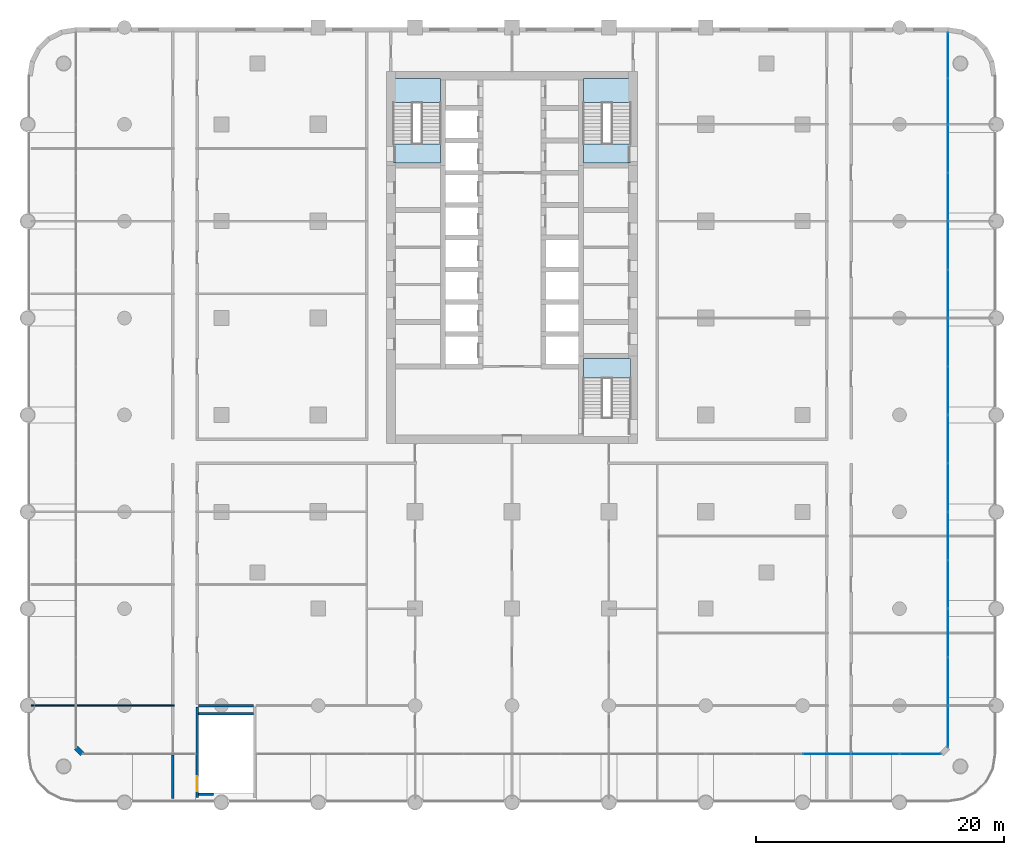
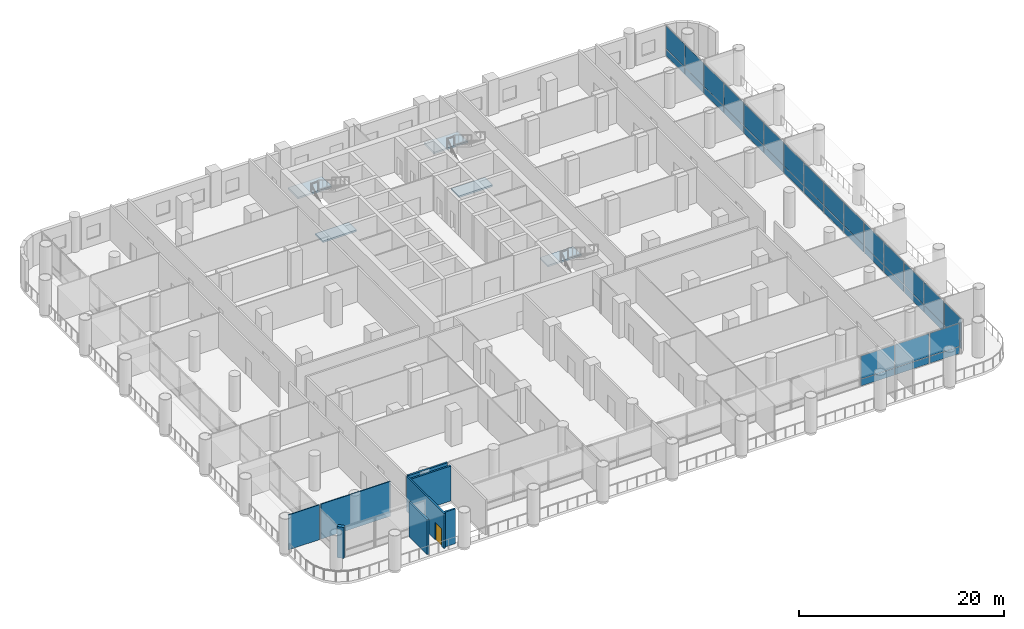
# One storey, part 9 of 23: 36 plates, 8 walls, 5 slabs, 1 door, 1 opening, 13 elements without a shape of their own.
"""IFC4 building model written with IfcOpenShell, lengths in metres."""

from ifc_helpers import new_model, si_unit, direction, frame, frame_2d, origin, origin_2d, place, context, subcontext, project, spatial, polyline, rectangle, outline, extrude, material, layer, layer_set, type_object, element, fill, aggregate, save


model = new_model("IFC4")

# Units and contexts
model_context = context("Model", 3, precision=1e-05, world=origin(), true_north=direction((0.0, 1.0)))
body_context = subcontext(model_context, "Body", "Model", "MODEL_VIEW")
ifc_project = project(units=[si_unit("LENGTHUNIT", "METRE"), si_unit("AREAUNIT", "SQUARE_METRE"), si_unit("VOLUMEUNIT", "CUBIC_METRE"), si_unit("PLANEANGLEUNIT", "RADIAN"), si_unit("MASSUNIT", "GRAM", prefix="KILO")], contexts=[model_context])

# Site, building, storey
site_placement = place(None, origin())
site = spatial("IfcSite", under=ifc_project, at=site_placement, CompositionType="ELEMENT")
building_placement = place(site_placement, origin())
building = spatial("IfcBuilding", under=site, at=building_placement, Name="Ludao Terraces", CompositionType="ELEMENT")
storey_placement = place(building_placement, frame((0.0, 0.0, 10.5)))
storey = spatial("IfcBuildingStorey", under=building, at=storey_placement, Name="L02", CompositionType="ELEMENT", Elevation=10.5)

# Curtain wall, plates
ifc_material_1 = material(Name="Aluminium curtain wall with fritted glass", Category="aluminium")
curtain_wall_type = type_object("IfcCurtainWallType", Name="ENV CW1 podium glazing", PredefinedType="NOTDEFINED", material=ifc_material_1)
curtain_wall_1_placement = place(storey_placement, origin())
curtain_wall_1 = element("IfcCurtainWall", 1, at=curtain_wall_1_placement, inside=storey, type_object=curtain_wall_type, Name="CW-L02-S9", PredefinedType="NOTDEFINED")
ifc_material_2 = material(Name="Fritted glass panel", Category="glass")
ifc_layer_1 = layer(ifc_material_2, 0.028076171875)
ifc_layer_set_1 = layer_set([ifc_layer_1], Name="ENV CW1 glass panel")
plate_type = type_object("IfcPlateType", Name="ENV CW1 glass panel", PredefinedType="CURTAIN_PANEL", material=ifc_layer_set_1)
plate_1_placement = place(storey_placement, frame((110.364990234375, 29.89990234375, 0.06005859375), z_axis=(0.0, 0.0, 1.0), x_axis=(1.0, 0.0, 0.0)))
plate_1 = element("IfcPlate", 2, at=plate_1_placement, type_object=plate_type, Name="CW1 panel 1.1", PredefinedType="CURTAIN_PANEL", context=body_context, shape_type="SweptSolid", body=[
    extrude(rectangle(XDim=3.81005859375, YDim=0.028076171875, at=origin_2d()), origin(), (0.0, 0.0, 1.0), 0.81005859375),
])
plate_2_placement = place(storey_placement, frame((110.364990234375, 29.89990234375, 0.929931640625), z_axis=(0.0, 0.0, 1.0), x_axis=(1.0, 0.0, 0.0)))
plate_2 = element("IfcPlate", 3, at=plate_2_placement, type_object=plate_type, Name="CW1 panel 1.2", PredefinedType="CURTAIN_PANEL", context=body_context, shape_type="SweptSolid", body=[
    extrude(rectangle(XDim=3.81005859375, YDim=0.028076171875, at=origin_2d()), origin(), (0.0, 0.0, 1.0), 2.7099609375),
])
plate_3_placement = place(storey_placement, frame((114.235107421875, 29.89990234375, 0.06005859375), z_axis=(0.0, 0.0, 1.0), x_axis=(1.0, 0.0, 0.0)))
plate_3 = element("IfcPlate", 4, at=plate_3_placement, type_object=plate_type, Name="CW1 panel 2.1", PredefinedType="CURTAIN_PANEL", context=body_context, shape_type="SweptSolid", body=[
    extrude(rectangle(XDim=3.81005859375, YDim=0.028076171875, at=origin_2d()), origin(), (0.0, 0.0, 1.0), 0.81005859375),
])
plate_4_placement = place(storey_placement, frame((114.235107421875, 29.89990234375, 0.929931640625), z_axis=(0.0, 0.0, 1.0), x_axis=(1.0, 0.0, 0.0)))
plate_4 = element("IfcPlate", 5, at=plate_4_placement, type_object=plate_type, Name="CW1 panel 2.2", PredefinedType="CURTAIN_PANEL", context=body_context, shape_type="SweptSolid", body=[
    extrude(rectangle(XDim=3.81005859375, YDim=0.028076171875, at=origin_2d()), origin(), (0.0, 0.0, 1.0), 2.7099609375),
])
aggregate(curtain_wall_1, [plate_1, plate_2, plate_3, plate_4])

curtain_wall_2_placement = place(storey_placement, origin())
curtain_wall_2 = element("IfcCurtainWall", 6, at=curtain_wall_2_placement, inside=storey, type_object=curtain_wall_type, Name="CW-L02-S10", PredefinedType="NOTDEFINED")
plate_5_placement = place(storey_placement, frame((117.89990234375, 29.89990234375, 0.06005859375), z_axis=(0.0, 0.0, 1.0), x_axis=(1.0, 0.0, 0.0)))
plate_5 = element("IfcPlate", 7, at=plate_5_placement, type_object=plate_type, Name="CW1 panel 1.1", PredefinedType="CURTAIN_PANEL", context=body_context, shape_type="SweptSolid", body=[
    extrude(rectangle(XDim=3.280029296875, YDim=0.028076171875, at=origin_2d()), origin(), (0.0, 0.0, 1.0), 0.81005859375),
])
plate_6_placement = place(storey_placement, frame((117.89990234375, 29.89990234375, 0.929931640625), z_axis=(0.0, 0.0, 1.0), x_axis=(1.0, 0.0, 0.0)))
plate_6 = element("IfcPlate", 8, at=plate_6_placement, type_object=plate_type, Name="CW1 panel 1.2", PredefinedType="CURTAIN_PANEL", context=body_context, shape_type="SweptSolid", body=[
    extrude(rectangle(XDim=3.280029296875, YDim=0.028076171875, at=origin_2d()), origin(), (0.0, 0.0, 1.0), 2.7099609375),
])
aggregate(curtain_wall_2, [plate_5, plate_6])

curtain_wall_3_placement = place(storey_placement, origin())
curtain_wall_3 = element("IfcCurtainWall", 9, at=curtain_wall_3_placement, inside=storey, type_object=curtain_wall_type, Name="CW-L02-E1", PredefinedType="NOTDEFINED")
plate_7_placement = place(storey_placement, frame((120.10009765625, 32.10009765625, 0.06005859375), z_axis=(0.0, 0.0, 1.0), x_axis=(0.0, 1.0, 0.0)))
plate_7 = element("IfcPlate", 10, at=plate_7_placement, type_object=plate_type, Name="CW1 panel 1.1", PredefinedType="CURTAIN_PANEL", context=body_context, shape_type="SweptSolid", body=[
    extrude(rectangle(XDim=3.280029296875, YDim=0.028076171875, at=origin_2d()), origin(), (0.0, 0.0, 1.0), 0.81005859375),
])
plate_8_placement = place(storey_placement, frame((120.10009765625, 32.10009765625, 0.929931640625), z_axis=(0.0, 0.0, 1.0), x_axis=(0.0, 1.0, 0.0)))
plate_8 = element("IfcPlate", 11, at=plate_8_placement, type_object=plate_type, Name="CW1 panel 1.2", PredefinedType="CURTAIN_PANEL", context=body_context, shape_type="SweptSolid", body=[
    extrude(rectangle(XDim=3.280029296875, YDim=0.028076171875, at=origin_2d()), origin(), (0.0, 0.0, 1.0), 2.7099609375),
])
aggregate(curtain_wall_3, [plate_7, plate_8])

curtain_wall_4_placement = place(storey_placement, origin())
curtain_wall_4 = element("IfcCurtainWall", 12, at=curtain_wall_4_placement, inside=storey, type_object=curtain_wall_type, Name="CW-L02-E2", PredefinedType="NOTDEFINED")
plate_9_placement = place(storey_placement, frame((120.10009765625, 35.764892578125, 0.06005859375), z_axis=(0.0, 0.0, 1.0), x_axis=(0.0, 1.0, 0.0)))
plate_9 = element("IfcPlate", 13, at=plate_9_placement, type_object=plate_type, Name="CW1 panel 1.1", PredefinedType="CURTAIN_PANEL", context=body_context, shape_type="SweptSolid", body=[
    extrude(rectangle(XDim=3.81005859375, YDim=0.028076171875, at=origin_2d()), origin(), (0.0, 0.0, 1.0), 0.81005859375),
])
plate_10_placement = place(storey_placement, frame((120.10009765625, 35.764892578125, 0.929931640625), z_axis=(0.0, 0.0, 1.0), x_axis=(0.0, 1.0, 0.0)))
plate_10 = element("IfcPlate", 14, at=plate_10_placement, type_object=plate_type, Name="CW1 panel 1.2", PredefinedType="CURTAIN_PANEL", context=body_context, shape_type="SweptSolid", body=[
    extrude(rectangle(XDim=3.81005859375, YDim=0.028076171875, at=origin_2d()), origin(), (0.0, 0.0, 1.0), 2.7099609375),
])
plate_11_placement = place(storey_placement, frame((120.10009765625, 39.635009765625, 0.06005859375), z_axis=(0.0, 0.0, 1.0), x_axis=(0.0, 1.0, 0.0)))
plate_11 = element("IfcPlate", 15, at=plate_11_placement, type_object=plate_type, Name="CW1 panel 2.1", PredefinedType="CURTAIN_PANEL", context=body_context, shape_type="SweptSolid", body=[
    extrude(rectangle(XDim=3.81005859375, YDim=0.028076171875, at=origin_2d()), origin(), (0.0, 0.0, 1.0), 0.81005859375),
])
plate_12_placement = place(storey_placement, frame((120.10009765625, 39.635009765625, 0.929931640625), z_axis=(0.0, 0.0, 1.0), x_axis=(0.0, 1.0, 0.0)))
plate_12 = element("IfcPlate", 16, at=plate_12_placement, type_object=plate_type, Name="CW1 panel 2.2", PredefinedType="CURTAIN_PANEL", context=body_context, shape_type="SweptSolid", body=[
    extrude(rectangle(XDim=3.81005859375, YDim=0.028076171875, at=origin_2d()), origin(), (0.0, 0.0, 1.0), 2.7099609375),
])
aggregate(curtain_wall_4, [plate_9, plate_10, plate_11, plate_12])

curtain_wall_5_placement = place(storey_placement, origin())
curtain_wall_5 = element("IfcCurtainWall", 17, at=curtain_wall_5_placement, inside=storey, type_object=curtain_wall_type, Name="CW-L02-E3", PredefinedType="NOTDEFINED")
plate_13_placement = place(storey_placement, frame((120.10009765625, 43.56494140625, 0.06005859375), z_axis=(0.0, 0.0, 1.0), x_axis=(0.0, 1.0, 0.0)))
plate_13 = element("IfcPlate", 18, at=plate_13_placement, type_object=plate_type, Name="CW1 panel 1.1", PredefinedType="CURTAIN_PANEL", context=body_context, shape_type="SweptSolid", body=[
    extrude(rectangle(XDim=3.81005859375, YDim=0.028076171875, at=origin_2d()), origin(), (0.0, 0.0, 1.0), 0.81005859375),
])
plate_14_placement = place(storey_placement, frame((120.10009765625, 43.56494140625, 0.929931640625), z_axis=(0.0, 0.0, 1.0), x_axis=(0.0, 1.0, 0.0)))
plate_14 = element("IfcPlate", 19, at=plate_14_placement, type_object=plate_type, Name="CW1 panel 1.2", PredefinedType="CURTAIN_PANEL", context=body_context, shape_type="SweptSolid", body=[
    extrude(rectangle(XDim=3.81005859375, YDim=0.028076171875, at=origin_2d()), origin(), (0.0, 0.0, 1.0), 2.7099609375),
])
plate_15_placement = place(storey_placement, frame((120.10009765625, 47.43505859375, 0.06005859375), z_axis=(0.0, 0.0, 1.0), x_axis=(0.0, 1.0, 0.0)))
plate_15 = element("IfcPlate", 20, at=plate_15_placement, type_object=plate_type, Name="CW1 panel 2.1", PredefinedType="CURTAIN_PANEL", context=body_context, shape_type="SweptSolid", body=[
    extrude(rectangle(XDim=3.81005859375, YDim=0.028076171875, at=origin_2d()), origin(), (0.0, 0.0, 1.0), 0.81005859375),
])
plate_16_placement = place(storey_placement, frame((120.10009765625, 47.43505859375, 0.929931640625), z_axis=(0.0, 0.0, 1.0), x_axis=(0.0, 1.0, 0.0)))
plate_16 = element("IfcPlate", 21, at=plate_16_placement, type_object=plate_type, Name="CW1 panel 2.2", PredefinedType="CURTAIN_PANEL", context=body_context, shape_type="SweptSolid", body=[
    extrude(rectangle(XDim=3.81005859375, YDim=0.028076171875, at=origin_2d()), origin(), (0.0, 0.0, 1.0), 2.7099609375),
])
aggregate(curtain_wall_5, [plate_13, plate_14, plate_15, plate_16])

curtain_wall_6_placement = place(storey_placement, origin())
curtain_wall_6 = element("IfcCurtainWall", 22, at=curtain_wall_6_placement, inside=storey, type_object=curtain_wall_type, Name="CW-L02-E4", PredefinedType="NOTDEFINED")
plate_17_placement = place(storey_placement, frame((120.10009765625, 51.364990234375, 0.06005859375), z_axis=(0.0, 0.0, 1.0), x_axis=(0.0, 1.0, 0.0)))
plate_17 = element("IfcPlate", 23, at=plate_17_placement, type_object=plate_type, Name="CW1 panel 1.1", PredefinedType="CURTAIN_PANEL", context=body_context, shape_type="SweptSolid", body=[
    extrude(rectangle(XDim=3.81005859375, YDim=0.028076171875, at=origin_2d()), origin(), (0.0, 0.0, 1.0), 0.81005859375),
])
plate_18_placement = place(storey_placement, frame((120.10009765625, 51.364990234375, 0.929931640625), z_axis=(0.0, 0.0, 1.0), x_axis=(0.0, 1.0, 0.0)))
plate_18 = element("IfcPlate", 24, at=plate_18_placement, type_object=plate_type, Name="CW1 panel 1.2", PredefinedType="CURTAIN_PANEL", context=body_context, shape_type="SweptSolid", body=[
    extrude(rectangle(XDim=3.81005859375, YDim=0.028076171875, at=origin_2d()), origin(), (0.0, 0.0, 1.0), 2.7099609375),
])
plate_19_placement = place(storey_placement, frame((120.10009765625, 55.235107421875, 0.06005859375), z_axis=(0.0, 0.0, 1.0), x_axis=(0.0, 1.0, 0.0)))
plate_19 = element("IfcPlate", 25, at=plate_19_placement, type_object=plate_type, Name="CW1 panel 2.1", PredefinedType="CURTAIN_PANEL", context=body_context, shape_type="SweptSolid", body=[
    extrude(rectangle(XDim=3.81005859375, YDim=0.028076171875, at=origin_2d()), origin(), (0.0, 0.0, 1.0), 0.81005859375),
])
plate_20_placement = place(storey_placement, frame((120.10009765625, 55.235107421875, 0.929931640625), z_axis=(0.0, 0.0, 1.0), x_axis=(0.0, 1.0, 0.0)))
plate_20 = element("IfcPlate", 26, at=plate_20_placement, type_object=plate_type, Name="CW1 panel 2.2", PredefinedType="CURTAIN_PANEL", context=body_context, shape_type="SweptSolid", body=[
    extrude(rectangle(XDim=3.81005859375, YDim=0.028076171875, at=origin_2d()), origin(), (0.0, 0.0, 1.0), 2.7099609375),
])
aggregate(curtain_wall_6, [plate_17, plate_18, plate_19, plate_20])

curtain_wall_7_placement = place(storey_placement, origin())
curtain_wall_7 = element("IfcCurtainWall", 27, at=curtain_wall_7_placement, inside=storey, type_object=curtain_wall_type, Name="CW-L02-E5", PredefinedType="NOTDEFINED")
plate_21_placement = place(storey_placement, frame((120.10009765625, 59.1650390625, 0.06005859375), z_axis=(0.0, 0.0, 1.0), x_axis=(0.0, 1.0, 0.0)))
plate_21 = element("IfcPlate", 28, at=plate_21_placement, type_object=plate_type, Name="CW1 panel 1.1", PredefinedType="CURTAIN_PANEL", context=body_context, shape_type="SweptSolid", body=[
    extrude(rectangle(XDim=3.81005859375, YDim=0.028076171875, at=origin_2d()), origin(), (0.0, 0.0, 1.0), 0.81005859375),
])
plate_22_placement = place(storey_placement, frame((120.10009765625, 59.1650390625, 0.929931640625), z_axis=(0.0, 0.0, 1.0), x_axis=(0.0, 1.0, 0.0)))
plate_22 = element("IfcPlate", 29, at=plate_22_placement, type_object=plate_type, Name="CW1 panel 1.2", PredefinedType="CURTAIN_PANEL", context=body_context, shape_type="SweptSolid", body=[
    extrude(rectangle(XDim=3.81005859375, YDim=0.028076171875, at=origin_2d()), origin(), (0.0, 0.0, 1.0), 2.7099609375),
])
plate_23_placement = place(storey_placement, frame((120.10009765625, 63.034912109375, 0.06005859375), z_axis=(0.0, 0.0, 1.0), x_axis=(0.0, 1.0, 0.0)))
plate_23 = element("IfcPlate", 30, at=plate_23_placement, type_object=plate_type, Name="CW1 panel 2.1", PredefinedType="CURTAIN_PANEL", context=body_context, shape_type="SweptSolid", body=[
    extrude(rectangle(XDim=3.81005859375, YDim=0.028076171875, at=origin_2d()), origin(), (0.0, 0.0, 1.0), 0.81005859375),
])
plate_24_placement = place(storey_placement, frame((120.10009765625, 63.034912109375, 0.929931640625), z_axis=(0.0, 0.0, 1.0), x_axis=(0.0, 1.0, 0.0)))
plate_24 = element("IfcPlate", 31, at=plate_24_placement, type_object=plate_type, Name="CW1 panel 2.2", PredefinedType="CURTAIN_PANEL", context=body_context, shape_type="SweptSolid", body=[
    extrude(rectangle(XDim=3.81005859375, YDim=0.028076171875, at=origin_2d()), origin(), (0.0, 0.0, 1.0), 2.7099609375),
])
aggregate(curtain_wall_7, [plate_21, plate_22, plate_23, plate_24])

curtain_wall_8_placement = place(storey_placement, origin())
curtain_wall_8 = element("IfcCurtainWall", 32, at=curtain_wall_8_placement, inside=storey, type_object=curtain_wall_type, Name="CW-L02-E6", PredefinedType="NOTDEFINED")
plate_25_placement = place(storey_placement, frame((120.10009765625, 66.965087890625, 0.06005859375), z_axis=(0.0, 0.0, 1.0), x_axis=(0.0, 1.0, 0.0)))
plate_25 = element("IfcPlate", 33, at=plate_25_placement, type_object=plate_type, Name="CW1 panel 1.1", PredefinedType="CURTAIN_PANEL", context=body_context, shape_type="SweptSolid", body=[
    extrude(rectangle(XDim=3.81005859375, YDim=0.028076171875, at=origin_2d()), origin(), (0.0, 0.0, 1.0), 0.81005859375),
])
plate_26_placement = place(storey_placement, frame((120.10009765625, 66.965087890625, 0.929931640625), z_axis=(0.0, 0.0, 1.0), x_axis=(0.0, 1.0, 0.0)))
plate_26 = element("IfcPlate", 34, at=plate_26_placement, type_object=plate_type, Name="CW1 panel 1.2", PredefinedType="CURTAIN_PANEL", context=body_context, shape_type="SweptSolid", body=[
    extrude(rectangle(XDim=3.81005859375, YDim=0.028076171875, at=origin_2d()), origin(), (0.0, 0.0, 1.0), 2.7099609375),
])
plate_27_placement = place(storey_placement, frame((120.10009765625, 70.8349609375, 0.06005859375), z_axis=(0.0, 0.0, 1.0), x_axis=(0.0, 1.0, 0.0)))
plate_27 = element("IfcPlate", 35, at=plate_27_placement, type_object=plate_type, Name="CW1 panel 2.1", PredefinedType="CURTAIN_PANEL", context=body_context, shape_type="SweptSolid", body=[
    extrude(rectangle(XDim=3.81005859375, YDim=0.028076171875, at=origin_2d()), origin(), (0.0, 0.0, 1.0), 0.81005859375),
])
plate_28_placement = place(storey_placement, frame((120.10009765625, 70.8349609375, 0.929931640625), z_axis=(0.0, 0.0, 1.0), x_axis=(0.0, 1.0, 0.0)))
plate_28 = element("IfcPlate", 36, at=plate_28_placement, type_object=plate_type, Name="CW1 panel 2.2", PredefinedType="CURTAIN_PANEL", context=body_context, shape_type="SweptSolid", body=[
    extrude(rectangle(XDim=3.81005859375, YDim=0.028076171875, at=origin_2d()), origin(), (0.0, 0.0, 1.0), 2.7099609375),
])
aggregate(curtain_wall_8, [plate_25, plate_26, plate_27, plate_28])

curtain_wall_9_placement = place(storey_placement, origin())
curtain_wall_9 = element("IfcCurtainWall", 37, at=curtain_wall_9_placement, inside=storey, type_object=curtain_wall_type, Name="CW-L02-E7", PredefinedType="NOTDEFINED")
plate_29_placement = place(storey_placement, frame((120.10009765625, 74.764892578125, 0.06005859375), z_axis=(0.0, 0.0, 1.0), x_axis=(0.0, 1.0, 0.0)))
plate_29 = element("IfcPlate", 38, at=plate_29_placement, type_object=plate_type, Name="CW1 panel 1.1", PredefinedType="CURTAIN_PANEL", context=body_context, shape_type="SweptSolid", body=[
    extrude(rectangle(XDim=3.81005859375, YDim=0.028076171875, at=origin_2d()), origin(), (0.0, 0.0, 1.0), 0.81005859375),
])
plate_30_placement = place(storey_placement, frame((120.10009765625, 74.764892578125, 0.929931640625), z_axis=(0.0, 0.0, 1.0), x_axis=(0.0, 1.0, 0.0)))
plate_30 = element("IfcPlate", 39, at=plate_30_placement, type_object=plate_type, Name="CW1 panel 1.2", PredefinedType="CURTAIN_PANEL", context=body_context, shape_type="SweptSolid", body=[
    extrude(rectangle(XDim=3.81005859375, YDim=0.028076171875, at=origin_2d()), origin(), (0.0, 0.0, 1.0), 2.7099609375),
])
plate_31_placement = place(storey_placement, frame((120.10009765625, 78.635009765625, 0.06005859375), z_axis=(0.0, 0.0, 1.0), x_axis=(0.0, 1.0, 0.0)))
plate_31 = element("IfcPlate", 40, at=plate_31_placement, type_object=plate_type, Name="CW1 panel 2.1", PredefinedType="CURTAIN_PANEL", context=body_context, shape_type="SweptSolid", body=[
    extrude(rectangle(XDim=3.81005859375, YDim=0.028076171875, at=origin_2d()), origin(), (0.0, 0.0, 1.0), 0.81005859375),
])
plate_32_placement = place(storey_placement, frame((120.10009765625, 78.635009765625, 0.929931640625), z_axis=(0.0, 0.0, 1.0), x_axis=(0.0, 1.0, 0.0)))
plate_32 = element("IfcPlate", 41, at=plate_32_placement, type_object=plate_type, Name="CW1 panel 2.2", PredefinedType="CURTAIN_PANEL", context=body_context, shape_type="SweptSolid", body=[
    extrude(rectangle(XDim=3.81005859375, YDim=0.028076171875, at=origin_2d()), origin(), (0.0, 0.0, 1.0), 2.7099609375),
])
aggregate(curtain_wall_9, [plate_29, plate_30, plate_31, plate_32])

curtain_wall_10_placement = place(storey_placement, origin())
curtain_wall_10 = element("IfcCurtainWall", 42, at=curtain_wall_10_placement, inside=storey, type_object=curtain_wall_type, Name="CW-L02-E8", PredefinedType="NOTDEFINED")
plate_33_placement = place(storey_placement, frame((120.10009765625, 82.469970703125, 0.06005859375), z_axis=(0.0, 0.0, 1.0), x_axis=(0.0, 1.0, 0.0)))
plate_33 = element("IfcPlate", 43, at=plate_33_placement, type_object=plate_type, Name="CW1 panel 1.1", PredefinedType="CURTAIN_PANEL", context=body_context, shape_type="SweptSolid", body=[
    extrude(rectangle(XDim=3.6201171875, YDim=0.028076171875, at=origin_2d()), origin(), (0.0, 0.0, 1.0), 0.81005859375),
])
plate_34_placement = place(storey_placement, frame((120.10009765625, 82.469970703125, 0.929931640625), z_axis=(0.0, 0.0, 1.0), x_axis=(0.0, 1.0, 0.0)))
plate_34 = element("IfcPlate", 44, at=plate_34_placement, type_object=plate_type, Name="CW1 panel 1.2", PredefinedType="CURTAIN_PANEL", context=body_context, shape_type="SweptSolid", body=[
    extrude(rectangle(XDim=3.6201171875, YDim=0.028076171875, at=origin_2d()), origin(), (0.0, 0.0, 1.0), 2.7099609375),
])
plate_35_placement = place(storey_placement, frame((120.10009765625, 86.14990234375, 0.06005859375), z_axis=(0.0, 0.0, 1.0), x_axis=(0.0, 1.0, 0.0)))
plate_35 = element("IfcPlate", 45, at=plate_35_placement, type_object=plate_type, Name="CW1 panel 2.1", PredefinedType="CURTAIN_PANEL", context=body_context, shape_type="SweptSolid", body=[
    extrude(rectangle(XDim=3.6201171875, YDim=0.028076171875, at=origin_2d()), origin(), (0.0, 0.0, 1.0), 0.81005859375),
])
plate_36_placement = place(storey_placement, frame((120.10009765625, 86.14990234375, 0.929931640625), z_axis=(0.0, 0.0, 1.0), x_axis=(0.0, 1.0, 0.0)))
plate_36 = element("IfcPlate", 46, at=plate_36_placement, type_object=plate_type, Name="CW1 panel 2.2", PredefinedType="CURTAIN_PANEL", context=body_context, shape_type="SweptSolid", body=[
    extrude(rectangle(XDim=3.6201171875, YDim=0.028076171875, at=origin_2d()), origin(), (0.0, 0.0, 1.0), 2.7099609375),
])
aggregate(curtain_wall_10, [plate_33, plate_34, plate_35, plate_36])

# Stair, slabs
ifc_material_3 = material(Name="Concrete C40", Category="concrete")
stair_type = type_object("IfcStairType", Name="INT Stair", PredefinedType="HALF_TURN_STAIR", material=ifc_material_3)
stair_1_placement = place(storey_placement, origin())
stair_1 = element("IfcStair", 47, at=stair_1_placement, inside=storey, type_object=stair_type, Name="EXIT STAIR 1", PredefinedType="HALF_TURN_STAIR")
ifc_layer_2 = layer(ifc_material_3, 0.199951171875)
ifc_layer_set_2 = layer_set([ifc_layer_2], Name="INT Stair landing 200")
slab_type = type_object("IfcSlabType", Name="INT Stair landing 200", PredefinedType="LANDING", material=ifc_layer_set_2)
slab_1_placement = place(storey_placement, frame((0.0, 0.0, 2.050048828125)))
slab_1 = element("IfcSlab", 48, at=slab_1_placement, type_object=slab_type, Name="ST1 landing 1", PredefinedType="LANDING", context=body_context, shape_type="SweptSolid", body=[
    extrude(outline(polyline([(75.449951171875, 82.360107421875), (79.25, 82.360107421875), (79.25, 84.300048828125), (75.449951171875, 84.300048828125), (75.449951171875, 82.360107421875)])), origin(), (0.0, 0.0, 1.0), 0.199951171875),
])
slab_2_placement = place(storey_placement, frame((0.0, 0.0, -0.199951171875)))
slab_2 = element("IfcSlab", 49, at=slab_2_placement, type_object=slab_type, Name="ST1 landing 2", PredefinedType="LANDING", context=body_context, shape_type="SweptSolid", body=[
    extrude(outline(polyline([(75.449951171875, 77.5), (79.25, 77.5), (79.25, 79.0), (75.449951171875, 79.0), (75.449951171875, 77.5)])), origin(), (0.0, 0.0, 1.0), 0.199951171875),
])
aggregate(stair_1, [slab_1, slab_2])

stair_2_placement = place(storey_placement, origin())
stair_2 = element("IfcStair", 50, at=stair_2_placement, inside=storey, type_object=stair_type, Name="EXIT STAIR 2", PredefinedType="HALF_TURN_STAIR")
slab_3_placement = place(storey_placement, frame((0.0, 0.0, 2.050048828125)))
slab_3 = element("IfcSlab", 51, at=slab_3_placement, type_object=slab_type, Name="ST2 landing 1", PredefinedType="LANDING", context=body_context, shape_type="SweptSolid", body=[
    extrude(outline(polyline([(90.75, 82.360107421875), (94.550048828125, 82.360107421875), (94.550048828125, 84.300048828125), (90.75, 84.300048828125), (90.75, 82.360107421875)])), origin(), (0.0, 0.0, 1.0), 0.199951171875),
])
slab_4_placement = place(storey_placement, frame((0.0, 0.0, -0.199951171875)))
slab_4 = element("IfcSlab", 52, at=slab_4_placement, type_object=slab_type, Name="ST2 landing 2", PredefinedType="LANDING", context=body_context, shape_type="SweptSolid", body=[
    extrude(outline(polyline([(90.75, 77.5), (94.550048828125, 77.5), (94.550048828125, 79.0), (90.75, 79.0), (90.75, 77.5)])), origin(), (0.0, 0.0, 1.0), 0.199951171875),
])
aggregate(stair_2, [slab_3, slab_4])

# Stair, slab
stair_3_placement = place(storey_placement, origin())
stair_3 = element("IfcStair", 53, at=stair_3_placement, inside=storey, type_object=stair_type, Name="EXIT STAIR 3", PredefinedType="HALF_TURN_STAIR")
slab_5_placement = place(storey_placement, frame((0.0, 0.0, 2.050048828125)))
slab_5 = element("IfcSlab", 54, at=slab_5_placement, type_object=slab_type, Name="ST3 landing 1", PredefinedType="LANDING", context=body_context, shape_type="SweptSolid", body=[
    extrude(outline(polyline([(90.75, 60.18994140625), (94.550048828125, 60.18994140625), (94.550048828125, 61.75), (90.75, 61.75), (90.75, 60.18994140625)])), origin(), (0.0, 0.0, 1.0), 0.199951171875),
])
aggregate(stair_3, [slab_5])

# Walls
ifc_material_4 = material(Name="Granite cladding", Category="masonry")
ifc_layer_3 = layer(ifc_material_4, 0.06005859375, Category="stone")
ifc_material_5 = material(Name="Mineral wool")
ifc_layer_4 = layer(ifc_material_5, 0.06005859375)
ifc_layer_5 = layer(ifc_material_3, 0.260009765625, Category="concrete")
ifc_layer_set_3 = layer_set([ifc_layer_3, ifc_layer_4, ifc_layer_5], Name="ENV Stone-clad wall 380")
wall_type_1 = type_object("IfcWallType", Name="ENV Stone-clad wall 380", PredefinedType="SOLIDWALL", material=ifc_layer_set_3)
wall_1_placement = place(storey_placement, frame((50.39990234375, 29.89990234375, 0.0), z_axis=(0.0, 0.0, 1.0), x_axis=(-0.707106781187, 0.707106781187, 0.0)))
element("IfcWall", 55, at=wall_1_placement, inside=storey, type_object=wall_type_1, Name="EW-L02-SW", PredefinedType="SOLIDWALL", context=body_context, shape_type="SweptSolid", body=[
    extrude(rectangle(XDim=0.70703125, YDim=0.3798828125, at=frame_2d((0.353515625, 0.0))), origin(), (0.0, 0.0, 1.0), 3.699951171875),
])
ifc_material_6 = material(Name="Autoclaved aerated concrete block B06 A3.5", Category="concrete")
ifc_layer_6 = layer(ifc_material_6, 0.199951171875)
ifc_layer_set_4 = layer_set([ifc_layer_6], Name="INT Entrance wall 200")
wall_type_2 = type_object("IfcWallType", Name="INT Entrance wall 200", PredefinedType="PARTITIONING", material=ifc_layer_set_4)
wall_2_placement = place(storey_placement, frame((57.699951171875, 26.300048828125, 0.0), z_axis=(0.0, 0.0, 1.0), x_axis=(0.0, 1.0, 0.0)))
element("IfcWall", 56, at=wall_2_placement, inside=storey, type_object=wall_type_2, Name="PW-L02-PW049", PredefinedType="PARTITIONING", context=body_context, shape_type="SweptSolid", body=[
    extrude(rectangle(XDim=3.52001953125, YDim=0.199951171875, at=frame_2d((1.760009765625, 0.0))), origin(), (0.0, 0.0, 1.0), 4.14990234375),
])
ifc_material_7 = material(Name="Gypsum plasterboard", Category="gypsum")
ifc_layer_7 = layer(ifc_material_7, 0.012451171875, Category="gypsum")
ifc_layer_8 = layer(ifc_material_5, 0.06005859375, Name="insulation")
ifc_material_8 = material(Name="Steel Q235", Category="steel")
ifc_layer_9 = layer(ifc_material_8, 0.014892578125, Name="stud")
ifc_layer_10 = layer(ifc_material_7, 0.012451171875, Category="gypsum")
ifc_layer_set_5 = layer_set([ifc_layer_7, ifc_layer_8, ifc_layer_9, ifc_layer_10], Name="INT Partition 100")
wall_type_3 = type_object("IfcWallType", Name="INT Partition 100", PredefinedType="PARTITIONING", material=ifc_layer_set_5)
wall_3_placement = place(storey_placement, frame((46.300048828125, 33.800048828125, 0.0), z_axis=(0.0, 0.0, 1.0), x_axis=(1.0, 0.0, 0.0)))
element("IfcWall", 57, at=wall_3_placement, inside=storey, type_object=wall_type_3, Name="PW-L02-PW000", PredefinedType="PARTITIONING", context=body_context, shape_type="SweptSolid", body=[
    extrude(rectangle(XDim=3.52001953125, YDim=0.10009765625, at=frame_2d((1.760009765625, 0.0))), origin(), (0.0, 0.0, 1.0), 4.14990234375),
])
wall_4_placement = place(storey_placement, frame((49.97998046875, 33.800048828125, 0.0), z_axis=(0.0, 0.0, 1.0), x_axis=(1.0, 0.0, 0.0)))
element("IfcWall", 58, at=wall_4_placement, inside=storey, type_object=wall_type_3, Name="PW-L02-PW001", PredefinedType="PARTITIONING", context=body_context, shape_type="SweptSolid", body=[
    extrude(rectangle(XDim=7.820068359375, YDim=0.10009765625, at=frame_2d((3.91015625, 0.0))), origin(), (0.0, 0.0, 1.0), 4.14990234375),
])
ifc_layer_11 = layer(ifc_material_3, 0.199951171875)
ifc_layer_set_6 = layer_set([ifc_layer_11], Name="INT Stair enclosure wall 200")
wall_type_4 = type_object("IfcWallType", Name="INT Stair enclosure wall 200", PredefinedType="PARTITIONING", material=ifc_layer_set_6)
wall_5_placement = place(storey_placement, frame((59.75, 33.800048828125, 0.0), z_axis=(0.0, 0.0, 1.0), x_axis=(1.0, 0.0, 0.0)))
element("IfcWall", 59, at=wall_5_placement, inside=storey, type_object=wall_type_4, Name="PW-L02-PW002", PredefinedType="PARTITIONING", context=body_context, shape_type="SweptSolid", body=[
    extrude(rectangle(XDim=4.4501953125, YDim=0.199951171875, at=frame_2d((2.22509765625, 0.0))), origin(), (0.0, 0.0, 1.0), 4.14990234375),
])

# Wall, opening, door
ifc_material_9 = material(Name="Concrete C50", Category="concrete")
ifc_layer_12 = layer(ifc_material_9, 0.199951171875)
ifc_layer_set_7 = layer_set([ifc_layer_12], Name="Shaft wall 200 C50")
wall_type_5 = type_object("IfcWallType", Name="Shaft wall 200 C50", PredefinedType="SOLIDWALL", material=ifc_layer_set_7)
wall_6_placement = place(storey_placement, frame((59.64990234375, 26.3798828125, 0.0), z_axis=(0.0, 0.0, 1.0), x_axis=(0.0, 1.0, 0.0)))
wall_6 = element("IfcWall", 60, at=wall_6_placement, inside=storey, type_object=wall_type_5, Name="Stair wall L02 PS1 W", PredefinedType="SOLIDWALL", context=body_context, shape_type="SweptSolid", body=[
    extrude(rectangle(XDim=7.320068359375, YDim=0.199951171875, at=frame_2d((3.66015625, 0.0))), origin(), (0.0, 0.0, 1.0), 4.14990234375),
])
opening_placement = place(wall_6_placement, frame((0.52001953125, 0.0, 0.0)))
opening = element("IfcOpeningElement", 61, at=opening_placement, cuts=wall_6, Name="Opening L02-001", PredefinedType="OPENING", context=body_context, shape_type="SweptSolid", body=[
    extrude(rectangle(XDim=1.199951171875, YDim=2.10009765625, at=frame_2d((0.60009765625, 1.050048828125))), frame((0.0, 0.10986328125, 0.0), z_axis=(0.0, -1.0, 0.0), x_axis=(1.0, 0.0, 0.0)), (0.0, 0.0, 1.0), 0.219970703125),
])
door_type = type_object("IfcDoorType", Name="INT Stair door 1200", OperationType="DOUBLE_DOOR_SINGLE_SWING", PredefinedType="DOOR", material=ifc_material_8)
door_placement = place(opening_placement, origin())
door = element("IfcDoor", 62, at=door_placement, inside=storey, type_object=door_type, Name="DOOR 001", OperationType="DOUBLE_DOOR_SINGLE_SWING", OverallHeight=2.10009765625, OverallWidth=1.199951171875, PredefinedType="DOOR", context=body_context, shape_type="SweptSolid", body=[
    extrude(rectangle(XDim=1.199951171875, YDim=2.10009765625, at=frame_2d((0.60009765625, 1.050048828125))), frame((0.0, 0.02490234375, 0.0), z_axis=(0.0, -1.0, 0.0), x_axis=(1.0, 0.0, 0.0)), (0.0, 0.0, 1.0), 0.050048828125),
])
fill(opening, door)

# Walls
wall_7_placement = place(storey_placement, frame((59.75, 33.14990234375, 0.0), z_axis=(0.0, 0.0, 1.0), x_axis=(1.0, 0.0, 0.0)))
element("IfcWall", 63, at=wall_7_placement, inside=storey, type_object=wall_type_5, Name="Stair wall L02 PS1 N", PredefinedType="SOLIDWALL", context=body_context, shape_type="SweptSolid", body=[
    extrude(rectangle(XDim=4.449951171875, YDim=0.199951171875, at=frame_2d((2.22509765625, 0.0))), origin(), (0.0, 0.0, 1.0), 4.14990234375),
])
wall_8_placement = place(storey_placement, frame((59.75, 26.64990234375, 0.0), z_axis=(0.0, 0.0, 1.0), x_axis=(1.0, 0.0, 0.0)))
element("IfcWall", 64, at=wall_8_placement, inside=storey, type_object=wall_type_5, Name="Stair wall L02 PS1 S", PredefinedType="SOLIDWALL", context=body_context, shape_type="SweptSolid", body=[
    extrude(rectangle(XDim=1.199951171875, YDim=0.199951171875, at=frame_2d((0.60009765625, 0.0))), origin(), (0.0, 0.0, 1.0), 4.14990234375),
])

save(model, "model.ifc")
